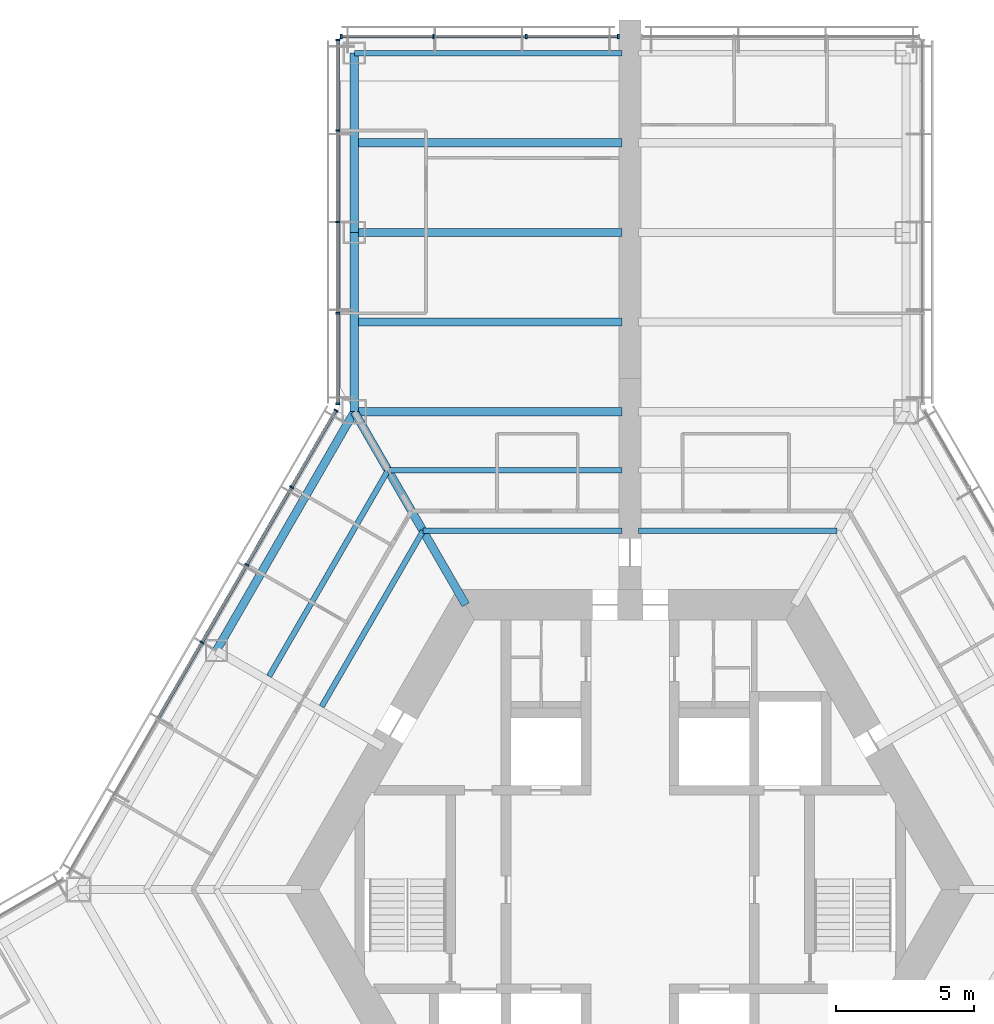
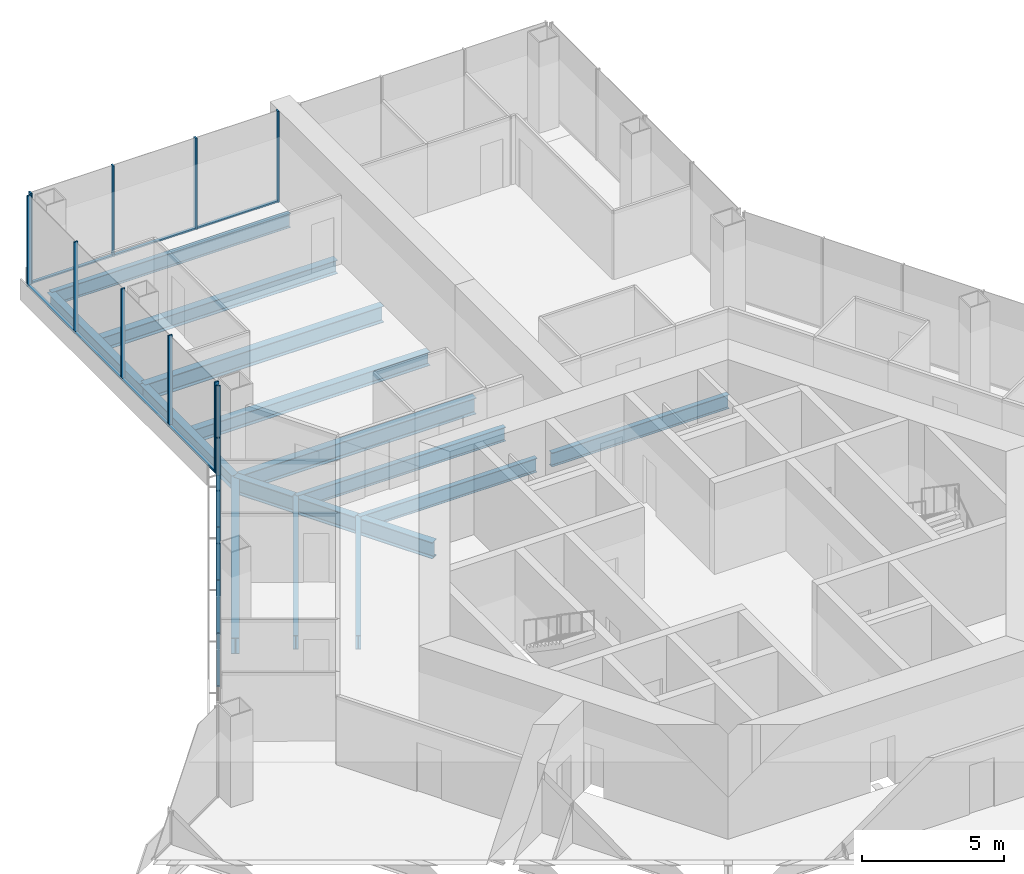
# One storey, part 7 of 19: 24 members, 14 beams, 3 elements without a shape of their own.
"""IFC4 building model written with IfcOpenShell, lengths in metres."""

from ifc_helpers import new_model, si_unit, direction, frame, origin, origin_2d, place, context, subcontext, project, spatial, rectangle, i_section, extrude, material, material_profile, profile_set, type_object, element, aggregate, save


model = new_model("IFC4")

# Units and contexts
model_context = context("Model", 3, precision=1e-05, world=origin(), true_north=direction((0.0, 1.0)))
body_context = subcontext(model_context, "Body", "Model", "MODEL_VIEW")
ifc_project = project(units=[si_unit("LENGTHUNIT", "METRE"), si_unit("AREAUNIT", "SQUARE_METRE"), si_unit("VOLUMEUNIT", "CUBIC_METRE"), si_unit("PLANEANGLEUNIT", "RADIAN"), si_unit("MASSUNIT", "GRAM", prefix="KILO")], contexts=[model_context])

# Site, building, storey
site_placement = place(None, origin())
site = spatial("IfcSite", under=ifc_project, at=site_placement, CompositionType="ELEMENT")
building_placement = place(site_placement, origin())
building = spatial("IfcBuilding", under=site, at=building_placement, Name="Kasaneha Research Tower", CompositionType="ELEMENT")
storey_placement = place(building_placement, frame((0.0, 0.0, 96.300048828125)))
storey = spatial("IfcBuildingStorey", under=building, at=storey_placement, Name="L24", CompositionType="ELEMENT", Elevation=96.300048828125)

# Beams
ifc_material_1 = material(Name="Steel SN490B", Category="steel")
ifc_material_profile_1 = material_profile(ifc_material_1, i_section(OverallWidth=0.199951171875, OverallDepth=0.60009765625, WebThickness=0.010986328125, FlangeThickness=0.01708984375, FilletRadius=0.012939453125, at=origin_2d()), Name="H-600x200x11x17")
ifc_profile_set_1 = profile_set([ifc_material_profile_1], Name="Steel SN490B")
beam_type_1 = type_object("IfcBeamType", Name="B1-3 secondary beam H-600x200x11x17", PredefinedType="JOIST", material=ifc_profile_set_1)
for number, where, z_axis, x_axis, name in (
    (1, (7.505615234375, 13.0, -0.449951171875), (-1.0, 0.0, 0.0), (0.0, -1.0, 0.0), "Secondary beam RS090L1 L24"),
    (2, (-7.505615234375, 13.0, -0.449951171875), (1.0, 0.0, 0.0), (0.0, 1.0, 0.0), "Secondary beam RS090R1 L24"),
):
    element("IfcBeam", number, at=place(storey_placement, frame(where, z_axis=z_axis, x_axis=x_axis)), inside=storey, type_object=beam_type_1, Name=name, PredefinedType="JOIST", context=body_context, shape_type="SweptSolid", body=[
        extrude(i_section(OverallWidth=0.199951171875, OverallDepth=0.60009765625, WebThickness=0.010986328125, FlangeThickness=0.01708984375, FilletRadius=0.012939453125, at=origin_2d()), origin(), (0.0, 0.0, 1.0), 7.20556640625),
    ])
beam_1_placement = place(storey_placement, frame((-8.775634765625, 15.199951171875, -0.449951171875), z_axis=(1.0, 0.0, 0.0), x_axis=(0.0, 1.0, 0.0)))
element("IfcBeam", 3, at=beam_1_placement, inside=storey, type_object=beam_type_1, Name="Secondary beam RS090R2 L24", PredefinedType="JOIST", context=body_context, shape_type="SweptSolid", body=[
    extrude(i_section(OverallWidth=0.199951171875, OverallDepth=0.60009765625, WebThickness=0.010986328125, FlangeThickness=0.01708984375, FilletRadius=0.012939453125, at=origin_2d()), origin(), (0.0, 0.0, 1.0), 8.4755859375),
])
beam_2_placement = place(storey_placement, frame((-7.505615234375, 13.0, -0.449951171875), z_axis=(-0.499994443168, -0.866028611999, 0.0), x_axis=(0.866028611999, -0.499994443168, 0.0)))
element("IfcBeam", 4, at=beam_2_placement, inside=storey, type_object=beam_type_1, Name="Secondary beam RS150L1 L24", PredefinedType="JOIST", context=body_context, shape_type="SweptSolid", body=[
    extrude(i_section(OverallWidth=0.199951171875, OverallDepth=0.60009765625, WebThickness=0.010986328125, FlangeThickness=0.01708984375, FilletRadius=0.012939453125, at=origin_2d()), origin(), (0.0, 0.0, 1.0), 7.35546875),
])
beam_3_placement = place(storey_placement, frame((-8.775634765625, 15.199951171875, -0.449951171875), z_axis=(-0.500017275495, -0.866015429543, 0.0), x_axis=(0.866015429543, -0.500017275495, 0.0)))
element("IfcBeam", 5, at=beam_3_placement, inside=storey, type_object=beam_type_1, Name="Secondary beam RS150L2 L24", PredefinedType="JOIST", context=body_context, shape_type="SweptSolid", body=[
    extrude(i_section(OverallWidth=0.199951171875, OverallDepth=0.60009765625, WebThickness=0.010986328125, FlangeThickness=0.01708984375, FilletRadius=0.012939453125, at=origin_2d()), origin(), (0.0, 0.0, 1.0), 8.625732421875),
])
ifc_material_2 = material(Name="Steel SN490B", Category="steel")
ifc_material_profile_2 = material_profile(ifc_material_2, i_section(OverallWidth=0.300048828125, OverallDepth=0.58203125, WebThickness=0.011962890625, FlangeThickness=0.01708984375, FilletRadius=0.012939453125, at=origin_2d()), Name="H-582x300x12x17")
ifc_profile_set_2 = profile_set([ifc_material_profile_2], Name="Steel SN490B")
beam_type_2 = type_object("IfcBeamType", Name="B2-3 secondary beam H-582x300x12x17", PredefinedType="JOIST", material=ifc_profile_set_2)
for number, where, z_axis, x_axis, name in (
    (6, (-10.0, 20.570556640625, -0.441162109375), (1.0, 0.0, 0.0), (0.0, 1.0, 0.0), "Secondary beam WBAN1 L24"),
    (7, (-10.0, 27.070556640625, -0.441162109375), (1.0, 0.0, 0.0), (0.0, 1.0, 0.0), "Secondary beam WBAN2 L24"),
):
    element("IfcBeam", number, at=place(storey_placement, frame(where, z_axis=z_axis, x_axis=x_axis)), inside=storey, type_object=beam_type_2, Name=name, PredefinedType="JOIST", context=body_context, shape_type="SweptSolid", body=[
        extrude(i_section(OverallWidth=0.300048828125, OverallDepth=0.58203125, WebThickness=0.011962890625, FlangeThickness=0.01708984375, FilletRadius=0.012939453125, at=origin_2d()), origin(), (0.0, 0.0, 1.0), 9.699951171875),
    ])

# Curtain wall, members
ifc_material_3 = material(Name="Glass and aluminium", Category="aluminium")
curtain_wall_type = type_object("IfcCurtainWallType", Name="Low-rise office curtain wall", PredefinedType="USERDEFINED", material=ifc_material_3)
curtain_wall_1_placement = place(storey_placement, origin())
curtain_wall_1 = element("IfcCurtainWall", 8, at=curtain_wall_1_placement, inside=storey, type_object=curtain_wall_type, Name="CW-O1 L24 run 10a", ObjectType="UNITISED CURTAIN WALL", PredefinedType="USERDEFINED")
ifc_material_4 = material(Name="Aluminium 6063-T6", Category="aluminium")
ifc_material_profile_3 = material_profile(ifc_material_4, rectangle(XDim=0.06005859375, YDim=0.159912109375, at=origin_2d()), Name="CW-O1 mullion 60x160")
ifc_profile_set_3 = profile_set([ifc_material_profile_3], Name="Aluminium 6063-T6")
member_type_1 = type_object("IfcMemberType", Name="CW-O1 mullion", PredefinedType="MULLION", material=ifc_profile_set_3)
member_1_placement = place(storey_placement, frame((-0.429931640625, 30.92041015625, 0.0), z_axis=(0.0, 0.0, 1.0), x_axis=(-1.0, 0.0, 0.0)))
member_1 = element("IfcMember", 9, at=member_1_placement, type_object=member_type_1, Name="CW-O1 mullion 1", PredefinedType="MULLION", context=body_context, shape_type="SweptSolid", body=[
    extrude(rectangle(XDim=0.06005859375, YDim=0.159912109375, at=origin_2d()), origin(), (0.0, 0.0, 1.0), 3.89990234375),
])
member_2_placement = place(storey_placement, frame((-3.7666015625, 30.92041015625, 0.0), z_axis=(0.0, 0.0, 1.0), x_axis=(-1.0, 0.0, 0.0)))
member_2 = element("IfcMember", 10, at=member_2_placement, type_object=member_type_1, Name="CW-O1 mullion 2", PredefinedType="MULLION", context=body_context, shape_type="SweptSolid", body=[
    extrude(rectangle(XDim=0.06005859375, YDim=0.159912109375, at=origin_2d()), origin(), (0.0, 0.0, 1.0), 3.89990234375),
])
member_3_placement = place(storey_placement, frame((-7.13330078125, 30.92041015625, 0.0), z_axis=(0.0, 0.0, 1.0), x_axis=(-1.0, 0.0, 0.0)))
member_3 = element("IfcMember", 11, at=member_3_placement, type_object=member_type_1, Name="CW-O1 mullion 3", PredefinedType="MULLION", context=body_context, shape_type="SweptSolid", body=[
    extrude(rectangle(XDim=0.06005859375, YDim=0.159912109375, at=origin_2d()), origin(), (0.0, 0.0, 1.0), 3.89990234375),
])
member_4_placement = place(storey_placement, frame((-10.469970703125, 30.92041015625, 0.0), z_axis=(0.0, 0.0, 1.0), x_axis=(-1.0, 0.0, 0.0)))
member_4 = element("IfcMember", 12, at=member_4_placement, type_object=member_type_1, Name="CW-O1 mullion 4", PredefinedType="MULLION", context=body_context, shape_type="SweptSolid", body=[
    extrude(rectangle(XDim=0.06005859375, YDim=0.159912109375, at=origin_2d()), origin(), (0.0, 0.0, 1.0), 3.89990234375),
])

curtain_wall_2_placement = place(storey_placement, origin())
curtain_wall_2 = element("IfcCurtainWall", 13, at=curtain_wall_2_placement, inside=storey, type_object=curtain_wall_type, Name="CW-O1 L24 run 11a", ObjectType="UNITISED CURTAIN WALL", PredefinedType="USERDEFINED")
member_5_placement = place(storey_placement, frame((-10.60009765625, 30.79052734375, 0.0), z_axis=(0.0, 0.0, 1.0), x_axis=(0.0, -1.0, 0.0)))
member_5 = element("IfcMember", 14, at=member_5_placement, type_object=member_type_1, Name="CW-O1 mullion 1", PredefinedType="MULLION", context=body_context, shape_type="SweptSolid", body=[
    extrude(rectangle(XDim=0.06005859375, YDim=0.159912109375, at=origin_2d()), origin(), (0.0, 0.0, 1.0), 3.89990234375),
])
member_6_placement = place(storey_placement, frame((-10.60009765625, 27.5107421875, 0.0), z_axis=(0.0, 0.0, 1.0), x_axis=(0.0, -1.0, 0.0)))
member_6 = element("IfcMember", 15, at=member_6_placement, type_object=member_type_1, Name="CW-O1 mullion 2", PredefinedType="MULLION", context=body_context, shape_type="SweptSolid", body=[
    extrude(rectangle(XDim=0.06005859375, YDim=0.159912109375, at=origin_2d()), origin(), (0.0, 0.0, 1.0), 3.89990234375),
])
member_7_placement = place(storey_placement, frame((-10.60009765625, 24.200927734375, 0.0), z_axis=(0.0, 0.0, 1.0), x_axis=(0.0, -1.0, 0.0)))
member_7 = element("IfcMember", 16, at=member_7_placement, type_object=member_type_1, Name="CW-O1 mullion 3", PredefinedType="MULLION", context=body_context, shape_type="SweptSolid", body=[
    extrude(rectangle(XDim=0.06005859375, YDim=0.159912109375, at=origin_2d()), origin(), (0.0, 0.0, 1.0), 3.89990234375),
])
member_8_placement = place(storey_placement, frame((-10.60009765625, 20.89111328125, 0.0), z_axis=(0.0, 0.0, 1.0), x_axis=(0.0, -1.0, 0.0)))
member_8 = element("IfcMember", 17, at=member_8_placement, type_object=member_type_1, Name="CW-O1 mullion 4", PredefinedType="MULLION", context=body_context, shape_type="SweptSolid", body=[
    extrude(rectangle(XDim=0.06005859375, YDim=0.159912109375, at=origin_2d()), origin(), (0.0, 0.0, 1.0), 3.89990234375),
])
member_9_placement = place(storey_placement, frame((-10.60009765625, 17.611328125, 0.0), z_axis=(0.0, 0.0, 1.0), x_axis=(0.0, -1.0, 0.0)))
member_9 = element("IfcMember", 18, at=member_9_placement, type_object=member_type_1, Name="CW-O1 mullion 5", PredefinedType="MULLION", context=body_context, shape_type="SweptSolid", body=[
    extrude(rectangle(XDim=0.06005859375, YDim=0.159912109375, at=origin_2d()), origin(), (0.0, 0.0, 1.0), 3.89990234375),
])

curtain_wall_3_placement = place(storey_placement, origin())
curtain_wall_3 = element("IfcCurtainWall", 19, at=curtain_wall_3_placement, inside=storey, type_object=curtain_wall_type, Name="CW-O1 L24 run 12a", ObjectType="UNITISED CURTAIN WALL", PredefinedType="USERDEFINED")
member_10_placement = place(storey_placement, frame((-10.6650390625, 17.36865234375, 0.0), z_axis=(0.0, 0.0, 1.0), x_axis=(-0.49999996188, -0.866025425793, 0.0)))
member_10 = element("IfcMember", 20, at=member_10_placement, type_object=member_type_1, Name="CW-O1 mullion 1", PredefinedType="MULLION", context=body_context, shape_type="SweptSolid", body=[
    extrude(rectangle(XDim=0.06005859375, YDim=0.159912109375, at=origin_2d()), origin(), (0.0, 0.0, 1.0), 3.89990234375),
])
member_11_placement = place(storey_placement, frame((-12.273193359375, 14.583251953125, 0.0), z_axis=(0.0, 0.0, 1.0), x_axis=(-0.49999996188, -0.866025425793, 0.0)))
member_11 = element("IfcMember", 21, at=member_11_placement, type_object=member_type_1, Name="CW-O1 mullion 2", PredefinedType="MULLION", context=body_context, shape_type="SweptSolid", body=[
    extrude(rectangle(XDim=0.06005859375, YDim=0.159912109375, at=origin_2d()), origin(), (0.0, 0.0, 1.0), 3.89990234375),
])
member_12_placement = place(storey_placement, frame((-13.896484375, 11.771728515625, 0.0), z_axis=(0.0, 0.0, 1.0), x_axis=(-0.49999996188, -0.866025425793, 0.0)))
member_12 = element("IfcMember", 22, at=member_12_placement, type_object=member_type_1, Name="CW-O1 mullion 3", PredefinedType="MULLION", context=body_context, shape_type="SweptSolid", body=[
    extrude(rectangle(XDim=0.06005859375, YDim=0.159912109375, at=origin_2d()), origin(), (0.0, 0.0, 1.0), 3.89990234375),
])
member_13_placement = place(storey_placement, frame((-15.51953125, 8.960205078125, 0.0), z_axis=(0.0, 0.0, 1.0), x_axis=(-0.49999996188, -0.866025425793, 0.0)))
member_13 = element("IfcMember", 23, at=member_13_placement, type_object=member_type_1, Name="CW-O1 mullion 4", PredefinedType="MULLION", context=body_context, shape_type="SweptSolid", body=[
    extrude(rectangle(XDim=0.06005859375, YDim=0.159912109375, at=origin_2d()), origin(), (0.0, 0.0, 1.0), 3.89990234375),
])

# Member
ifc_material_5 = material(Name="Aluminium 6063-T6", Category="aluminium")
ifc_material_profile_4 = material_profile(ifc_material_5, rectangle(XDim=0.1201171875, YDim=0.06005859375, at=origin_2d()), Name="CW-O1 transom 120x60")
ifc_profile_set_4 = profile_set([ifc_material_profile_4], Name="Aluminium 6063-T6")
member_type_2 = type_object("IfcMemberType", Name="CW-O1 transom", PredefinedType="USERDEFINED", material=ifc_profile_set_4)
member_14_placement = place(storey_placement, frame((-0.4599609375, 30.92041015625, 0.030029296875), z_axis=(-1.0, 0.0, 0.0), x_axis=(0.0, -1.0, 0.0)))
member_14 = element("IfcMember", 24, at=member_14_placement, type_object=member_type_2, Name="CW-O1 transom 1", ObjectType="TRANSOM", PredefinedType="USERDEFINED", context=body_context, shape_type="SweptSolid", body=[
    extrude(rectangle(XDim=0.1201171875, YDim=0.06005859375, at=origin_2d()), origin(), (0.0, 0.0, 1.0), 3.276611328125),
])

member_15_placement = place(storey_placement, frame((-3.796630859375, 30.92041015625, 0.030029296875), z_axis=(-1.0, 0.0, 0.0), x_axis=(0.0, -1.0, 0.0)))
member_15 = element("IfcMember", 25, at=member_15_placement, type_object=member_type_2, Name="CW-O1 transom 2", ObjectType="TRANSOM", PredefinedType="USERDEFINED", context=body_context, shape_type="SweptSolid", body=[
    extrude(rectangle(XDim=0.1201171875, YDim=0.06005859375, at=origin_2d()), origin(), (0.0, 0.0, 1.0), 3.306640625),
])

member_16_placement = place(storey_placement, frame((-7.163330078125, 30.92041015625, 0.030029296875), z_axis=(-1.0, 0.0, 0.0), x_axis=(0.0, -1.0, 0.0)))
member_16 = element("IfcMember", 26, at=member_16_placement, type_object=member_type_2, Name="CW-O1 transom 3", ObjectType="TRANSOM", PredefinedType="USERDEFINED", context=body_context, shape_type="SweptSolid", body=[
    extrude(rectangle(XDim=0.1201171875, YDim=0.06005859375, at=origin_2d()), origin(), (0.0, 0.0, 1.0), 3.276611328125),
])

aggregate(curtain_wall_1, [member_1, member_2, member_3, member_4, member_14, member_15, member_16])

member_17_placement = place(storey_placement, frame((-10.60009765625, 30.760498046875, 0.030029296875), z_axis=(0.0, -1.0, 0.0), x_axis=(1.0, 0.0, 0.0)))
member_17 = element("IfcMember", 27, at=member_17_placement, type_object=member_type_2, Name="CW-O1 transom 1", ObjectType="TRANSOM", PredefinedType="USERDEFINED", context=body_context, shape_type="SweptSolid", body=[
    extrude(rectangle(XDim=0.1201171875, YDim=0.06005859375, at=origin_2d()), origin(), (0.0, 0.0, 1.0), 3.2197265625),
])

member_18_placement = place(storey_placement, frame((-10.60009765625, 27.480712890625, 0.030029296875), z_axis=(0.0, -1.0, 0.0), x_axis=(1.0, 0.0, 0.0)))
member_18 = element("IfcMember", 28, at=member_18_placement, type_object=member_type_2, Name="CW-O1 transom 2", ObjectType="TRANSOM", PredefinedType="USERDEFINED", context=body_context, shape_type="SweptSolid", body=[
    extrude(rectangle(XDim=0.1201171875, YDim=0.06005859375, at=origin_2d()), origin(), (0.0, 0.0, 1.0), 3.249755859375),
])

member_19_placement = place(storey_placement, frame((-10.60009765625, 24.1708984375, 0.030029296875), z_axis=(0.0, -1.0, 0.0), x_axis=(1.0, 0.0, 0.0)))
member_19 = element("IfcMember", 29, at=member_19_placement, type_object=member_type_2, Name="CW-O1 transom 3", ObjectType="TRANSOM", PredefinedType="USERDEFINED", context=body_context, shape_type="SweptSolid", body=[
    extrude(rectangle(XDim=0.1201171875, YDim=0.06005859375, at=origin_2d()), origin(), (0.0, 0.0, 1.0), 3.249755859375),
])

member_20_placement = place(storey_placement, frame((-10.60009765625, 20.861083984375, 0.030029296875), z_axis=(0.0, -1.0, 0.0), x_axis=(1.0, 0.0, 0.0)))
member_20 = element("IfcMember", 30, at=member_20_placement, type_object=member_type_2, Name="CW-O1 transom 4", ObjectType="TRANSOM", PredefinedType="USERDEFINED", context=body_context, shape_type="SweptSolid", body=[
    extrude(rectangle(XDim=0.1201171875, YDim=0.06005859375, at=origin_2d()), origin(), (0.0, 0.0, 1.0), 3.2197265625),
])

aggregate(curtain_wall_2, [member_5, member_6, member_7, member_8, member_9, member_17, member_18, member_19, member_20])

member_21_placement = place(storey_placement, frame((-10.679931640625, 17.3427734375, 0.030029296875), z_axis=(-0.500023726918, -0.866011704609, 0.0), x_axis=(0.866011704609, -0.500023726918, 0.0)))
member_21 = element("IfcMember", 31, at=member_21_placement, type_object=member_type_2, Name="CW-O1 transom 1", ObjectType="TRANSOM", PredefinedType="USERDEFINED", context=body_context, shape_type="SweptSolid", body=[
    extrude(rectangle(XDim=0.1201171875, YDim=0.06005859375, at=origin_2d()), origin(), (0.0, 0.0, 1.0), 3.156494140625),
])

member_22_placement = place(storey_placement, frame((-12.2880859375, 14.55712890625, 0.030029296875), z_axis=(-0.500012062035, -0.866018439653, 0.0), x_axis=(0.866018439653, -0.500012062035, 0.0)))
member_22 = element("IfcMember", 32, at=member_22_placement, type_object=member_type_2, Name="CW-O1 transom 2", ObjectType="TRANSOM", PredefinedType="USERDEFINED", context=body_context, shape_type="SweptSolid", body=[
    extrude(rectangle(XDim=0.1201171875, YDim=0.06005859375, at=origin_2d()), origin(), (0.0, 0.0, 1.0), 3.1865234375),
])

member_23_placement = place(storey_placement, frame((-13.911376953125, 11.745849609375, 0.030029296875), z_axis=(-0.500012062035, -0.866018439653, 0.0), x_axis=(0.866018439653, -0.500012062035, 0.0)))
member_23 = element("IfcMember", 33, at=member_23_placement, type_object=member_type_2, Name="CW-O1 transom 3", ObjectType="TRANSOM", PredefinedType="USERDEFINED", context=body_context, shape_type="SweptSolid", body=[
    extrude(rectangle(XDim=0.1201171875, YDim=0.06005859375, at=origin_2d()), origin(), (0.0, 0.0, 1.0), 3.1865234375),
])

member_24_placement = place(storey_placement, frame((-15.53466796875, 8.934326171875, 0.030029296875), z_axis=(-0.500012062035, -0.866018439653, 0.0), x_axis=(0.866018439653, -0.500012062035, 0.0)))
member_24 = element("IfcMember", 34, at=member_24_placement, type_object=member_type_2, Name="CW-O1 transom 4", ObjectType="TRANSOM", PredefinedType="USERDEFINED", context=body_context, shape_type="SweptSolid", body=[
    extrude(rectangle(XDim=0.1201171875, YDim=0.06005859375, at=origin_2d()), origin(), (0.0, 0.0, 1.0), 3.1865234375),
])

aggregate(curtain_wall_3, [member_10, member_11, member_12, member_13, member_21, member_22, member_23, member_24])

# Beams
ifc_material_6 = material(Name="Steel SN490B", Category="steel")
ifc_material_profile_5 = material_profile(ifc_material_6, i_section(OverallWidth=0.300048828125, OverallDepth=0.699951171875, WebThickness=0.012939453125, FlangeThickness=0.02392578125, FilletRadius=0.01806640625, at=origin_2d()), Name="H-700x300x13x24")
ifc_profile_set_5 = profile_set([ifc_material_profile_5], Name="Steel SN490B")
beam_type_3 = type_object("IfcBeamType", Name="G1-3 radial girder H-700x300x13x24", PredefinedType="BEAM", material=ifc_profile_set_5)
beam_4_placement = place(storey_placement, frame((-5.961181640625, 10.324951171875, -0.5), z_axis=(-0.49999105496, 0.866030568144, 0.0), x_axis=(-0.866030568144, -0.49999105496, 0.0)))
element("IfcBeam", 35, at=beam_4_placement, inside=storey, type_object=beam_type_3, Name="Radial girder RV120 L24", PredefinedType="BEAM", context=body_context, shape_type="SweptSolid", body=[
    extrude(i_section(OverallWidth=0.300048828125, OverallDepth=0.699951171875, WebThickness=0.012939453125, FlangeThickness=0.02392578125, FilletRadius=0.01806640625, at=origin_2d()), origin(), (0.0, 0.0, 1.0), 8.077880859375),
])
ifc_material_7 = material(Name="Steel SN490B", Category="steel")
ifc_material_profile_6 = material_profile(ifc_material_7, i_section(OverallWidth=0.300048828125, OverallDepth=0.69189453125, WebThickness=0.012939453125, FlangeThickness=0.02001953125, FilletRadius=0.01806640625, at=origin_2d()), Name="H-692x300x13x20")
ifc_profile_set_6 = profile_set([ifc_material_profile_6], Name="Steel SN490B")
beam_type_4 = type_object("IfcBeamType", Name="G3-3 plate edge girder H-692x300x13x20", PredefinedType="BEAM", material=ifc_profile_set_6)
beam_5_placement = place(storey_placement, frame((-10.0, 17.320556640625, -0.49609375), z_axis=(1.0, 0.0, 0.0), x_axis=(0.0, 1.0, 0.0)))
element("IfcBeam", 36, at=beam_5_placement, inside=storey, type_object=beam_type_4, Name="Plate edge girder PEAN L24", PredefinedType="BEAM", context=body_context, shape_type="SweptSolid", body=[
    extrude(i_section(OverallWidth=0.300048828125, OverallDepth=0.69189453125, WebThickness=0.012939453125, FlangeThickness=0.02001953125, FilletRadius=0.01806640625, at=origin_2d()), origin(), (0.0, 0.0, 1.0), 9.699951171875),
])
ifc_material_8 = material(Name="Steel SN490B", Category="steel")
ifc_material_profile_7 = material_profile(ifc_material_8, i_section(OverallWidth=0.300048828125, OverallDepth=0.699951171875, WebThickness=0.012939453125, FlangeThickness=0.02392578125, FilletRadius=0.01806640625, at=origin_2d()), Name="H-700x300x13x24")
ifc_profile_set_7 = profile_set([ifc_material_profile_7], Name="Steel SN490B")
beam_type_5 = type_object("IfcBeamType", Name="G4-3 wing girder H-700x300x13x24", PredefinedType="BEAM", material=ifc_profile_set_7)
beam_6_placement = place(storey_placement, frame((-10.0, 23.820556640625, -0.5), z_axis=(1.0, 0.0, 0.0), x_axis=(0.0, 1.0, 0.0)))
element("IfcBeam", 37, at=beam_6_placement, inside=storey, type_object=beam_type_5, Name="Wing girder WGAN L24", PredefinedType="BEAM", context=body_context, shape_type="SweptSolid", body=[
    extrude(i_section(OverallWidth=0.300048828125, OverallDepth=0.699951171875, WebThickness=0.012939453125, FlangeThickness=0.02392578125, FilletRadius=0.01806640625, at=origin_2d()), origin(), (0.0, 0.0, 1.0), 9.699951171875),
])
ifc_material_9 = material(Name="Steel SN490B", Category="steel")
ifc_material_profile_8 = material_profile(ifc_material_9, i_section(OverallWidth=0.300048828125, OverallDepth=0.69189453125, WebThickness=0.012939453125, FlangeThickness=0.02001953125, FilletRadius=0.01806640625, at=origin_2d()), Name="H-692x300x13x20")
ifc_profile_set_8 = profile_set([ifc_material_profile_8], Name="Steel SN490B")
beam_type_6 = type_object("IfcBeamType", Name="SB1-3 spandrel beam H-692x300x13x20", PredefinedType="SPANDREL", material=ifc_profile_set_8)
beam_7_placement = place(storey_placement, frame((-10.0, 17.320556640625, -0.49609375), z_axis=(-0.499993662806, -0.866029062534, 0.0), x_axis=(0.866029062534, -0.499993662806, 0.0)))
element("IfcBeam", 38, at=beam_7_placement, inside=storey, type_object=beam_type_6, Name="Spandrel beam SR150L L24", PredefinedType="SPANDREL", context=body_context, shape_type="SweptSolid", body=[
    extrude(i_section(OverallWidth=0.300048828125, OverallDepth=0.69189453125, WebThickness=0.012939453125, FlangeThickness=0.02001953125, FilletRadius=0.01806640625, at=origin_2d()), origin(), (0.0, 0.0, 1.0), 10.000244140625),
])
ifc_material_10 = material(Name="Steel SN490B", Category="steel")
ifc_material_profile_9 = material_profile(ifc_material_10, i_section(OverallWidth=0.300048828125, OverallDepth=0.58203125, WebThickness=0.011962890625, FlangeThickness=0.01708984375, FilletRadius=0.012939453125, at=origin_2d()), Name="H-582x300x12x17")
ifc_profile_set_9 = profile_set([ifc_material_profile_9], Name="Steel SN490B")
beam_type_7 = type_object("IfcBeamType", Name="SB2-3 spandrel beam H-582x300x12x17", PredefinedType="SPANDREL", material=ifc_profile_set_9)
for number, where, z_axis, x_axis, name in (
    (39, (-10.0, 17.320556640625, -0.441162109375), (0.0, 1.0, 0.0), (-1.0, 0.0, 0.0), "Spandrel beam WSAN1 L24"),
    (40, (-10.0, 23.820556640625, -0.441162109375), (0.0, 1.0, 0.0), (-1.0, 0.0, 0.0), "Spandrel beam WSAN2 L24"),
):
    element("IfcBeam", number, at=place(storey_placement, frame(where, z_axis=z_axis, x_axis=x_axis)), inside=storey, type_object=beam_type_7, Name=name, PredefinedType="SPANDREL", context=body_context, shape_type="SweptSolid", body=[
        extrude(i_section(OverallWidth=0.300048828125, OverallDepth=0.58203125, WebThickness=0.011962890625, FlangeThickness=0.01708984375, FilletRadius=0.012939453125, at=origin_2d()), origin(), (0.0, 0.0, 1.0), 6.5),
    ])
ifc_material_11 = material(Name="Steel SN490B", Category="steel")
ifc_material_profile_10 = material_profile(ifc_material_11, i_section(OverallWidth=0.199951171875, OverallDepth=0.60009765625, WebThickness=0.010986328125, FlangeThickness=0.01708984375, FilletRadius=0.012939453125, at=origin_2d()), Name="H-600x200x11x17")
ifc_profile_set_10 = profile_set([ifc_material_profile_10], Name="Steel SN490B")
beam_type_8 = type_object("IfcBeamType", Name="SB3-3 spandrel beam H-600x200x11x17", PredefinedType="SPANDREL", material=ifc_profile_set_10)
beam_8_placement = place(storey_placement, frame((-10.0, 30.320556640625, -0.449951171875), z_axis=(1.0, 0.0, 0.0), x_axis=(0.0, 1.0, 0.0)))
element("IfcBeam", 41, at=beam_8_placement, inside=storey, type_object=beam_type_8, Name="Spandrel beam WTAN L24", PredefinedType="SPANDREL", context=body_context, shape_type="SweptSolid", body=[
    extrude(i_section(OverallWidth=0.199951171875, OverallDepth=0.60009765625, WebThickness=0.010986328125, FlangeThickness=0.01708984375, FilletRadius=0.012939453125, at=origin_2d()), origin(), (0.0, 0.0, 1.0), 9.699951171875),
])

save(model, "model.ifc")
